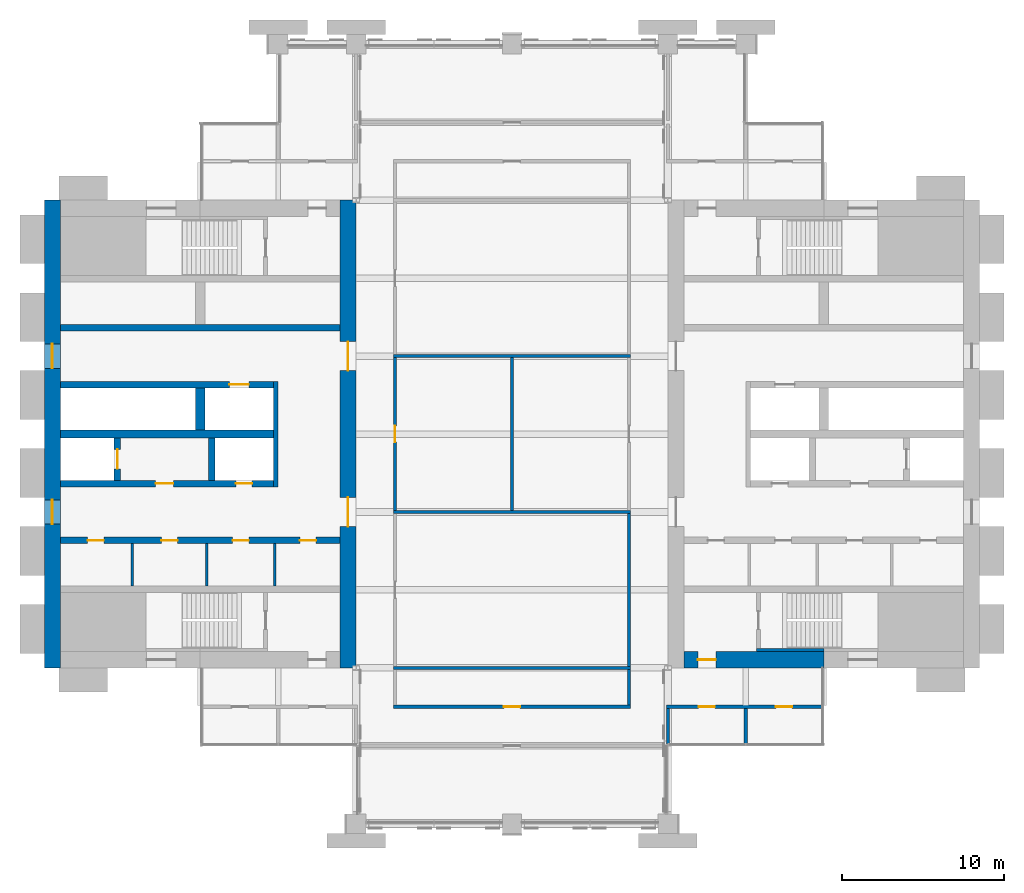
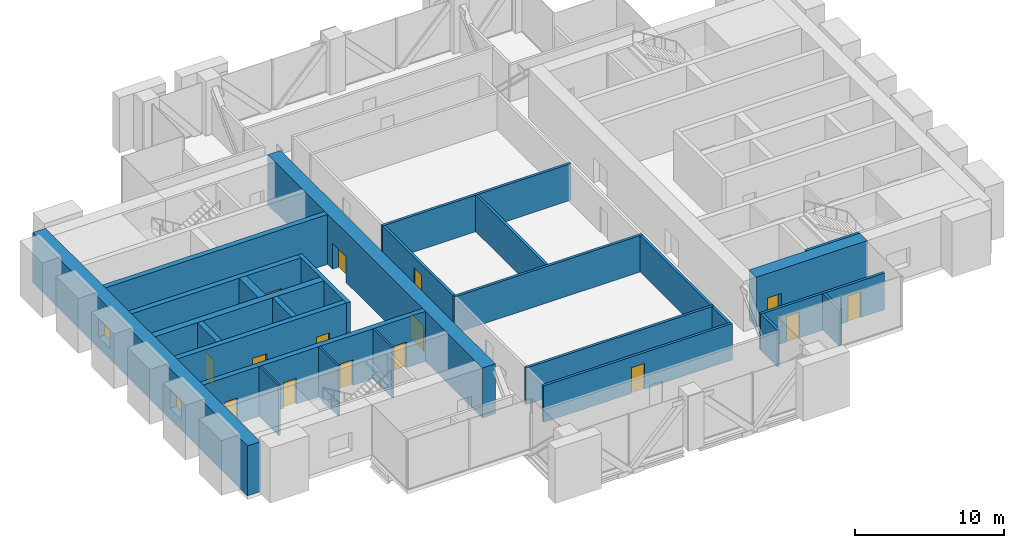
# One storey, part 10 of 14: 27 walls, 15 doors, 2 windows, 17 openings.
"""IFC4 building model written with IfcOpenShell, lengths in metres."""

import ifcopenshell
import ifcopenshell.guid

model = None  # the IFC model being written
_history = None  # IfcOwnerHistory: only IFC2X3 demands one
_inside = {}  # id of a spatial element -> (the spatial element, [elements in it])
_under = {}  # id of a project, library or spatial element -> (it, [spatial elements below it])
_declared = {}  # id of a project -> (the project, [libraries it declares])
_typed = {}  # id of a type object -> (the type object, [elements of that type])
_made_of = {}  # id of a material, layer set ... -> (it, [elements and type objects made of it])


def new_model(schema):
    """Start an empty IFC model of exactly this schema.

    Asked for "IFC4X3", IfcOpenShell would pick the latest addendum, in which some entities
    have other attributes; the version numbers below select the first issue.
    IFC2X3 requires an IfcOwnerHistory on every rooted entity: one is made here for all.
    """
    global model, _history
    if schema == "IFC4X3":
        model = ifcopenshell.file(schema_version=(4, 3, 0, 0))
    else:
        model = ifcopenshell.file(schema=schema)
    _inside.clear()
    _under.clear()
    _declared.clear()
    _typed.clear()
    _made_of.clear()
    _history = None
    if model.schema == "IFC2X3":
        org = make("IfcOrganization", Name="unknown")
        user = make(
            "IfcPersonAndOrganization",
            ThePerson=make("IfcPerson", FamilyName="unknown"),
            TheOrganization=org,
        )
        app = make(
            "IfcApplication",
            ApplicationDeveloper=org,
            Version="unknown",
            ApplicationFullName="unknown",
            ApplicationIdentifier="unknown",
        )
        _history = make(
            "IfcOwnerHistory",
            OwningUser=user,
            OwningApplication=app,
            ChangeAction="ADDED",
            CreationDate=0,
        )
    return model


def make(cls, **values):
    """One entity of the class cls with the attributes given. An attribute that is None is left unset."""
    return model.create_entity(
        cls, **{name: value for name, value in values.items() if value is not None}
    )


def rooted(cls, **values):
    """An entity with a GlobalId (a new one), such as an element, a storey or a relation."""
    return make(cls, GlobalId=ifcopenshell.guid.new(), OwnerHistory=_history, **values)


def si_unit(unit_type, name, prefix=None):
    """IfcSIUnit, for example si_unit("LENGTHUNIT", "METRE", prefix="MILLI")."""
    return make("IfcSIUnit", UnitType=unit_type, Prefix=prefix, Name=name)


def assignment(units):
    """IfcUnitAssignment: the units of a project."""
    return None if units is None else make("IfcUnitAssignment", Units=units)


def point(xyz):
    """IfcCartesianPoint."""
    return None if xyz is None else make("IfcCartesianPoint", Coordinates=xyz)


def direction(xyz):
    """IfcDirection."""
    return None if xyz is None else make("IfcDirection", DirectionRatios=xyz)


def frame(location, z_axis=None, x_axis=None):
    """IfcAxis2Placement3D, a coordinate frame: its origin and axes. An axis left out is left unset."""
    return make(
        "IfcAxis2Placement3D",
        Location=point(location),
        Axis=direction(z_axis),
        RefDirection=direction(x_axis),
    )


def frame_2d(location, x_axis=None):
    """IfcAxis2Placement2D, a coordinate frame in the plane: its origin and x axis."""
    return make(
        "IfcAxis2Placement2D", Location=point(location), RefDirection=direction(x_axis)
    )


def origin():
    """The frame at (0, 0, 0) with its axes left unset."""
    return frame((0.0, 0.0, 0.0))


def place(relative_to, where):
    """IfcLocalPlacement: puts the frame where relative to a parent placement (None: the world)."""
    return make(
        "IfcLocalPlacement", PlacementRelTo=relative_to, RelativePlacement=where
    )


def context(
    kind, dimensions, precision=None, world=None, true_north=None, identifier=None
):
    """IfcGeometricRepresentationContext, for example the 3D "Model" context."""
    return make(
        "IfcGeometricRepresentationContext",
        ContextIdentifier=identifier,
        ContextType=kind,
        CoordinateSpaceDimension=dimensions,
        Precision=precision,
        WorldCoordinateSystem=world,
        TrueNorth=true_north,
    )


def subcontext(parent, identifier, kind, view, scale=None):
    """IfcGeometricRepresentationSubContext, for example "Body" below "Model"."""
    return make(
        "IfcGeometricRepresentationSubContext",
        ContextIdentifier=identifier,
        ContextType=kind,
        ParentContext=parent,
        TargetScale=scale,
        TargetView=view,
    )


def project(units=None, contexts=None):
    """IfcProject with its units and contexts."""
    return rooted(
        "IfcProject",
        Name="project",
        RepresentationContexts=contexts,
        UnitsInContext=assignment(units),
    )


def spatial(cls, under=None, at=None, **own):
    """A site, building, storey or space (cls), placed at a placement, below another one or the project."""
    s = rooted(cls, ObjectPlacement=at, **own)
    if under is not None:
        _under.setdefault(under.id(), (under, []))[1].append(s)
    return s


def profile(cls, at=None, kind="AREA", **sizes):
    """A parametric profile (cls). Its sizes go by their IFC names, for example OverallWidth=200.0."""
    return make(cls, ProfileType=kind, Position=at, **sizes)


def rectangle(**sizes):
    """IfcRectangleProfileDef."""
    return profile("IfcRectangleProfileDef", **sizes)


def extrude(swept, where, along, depth):
    """IfcExtrudedAreaSolid: the profile swept, set in the frame where, extruded along a direction by depth."""
    return make(
        "IfcExtrudedAreaSolid",
        SweptArea=swept,
        Position=where,
        ExtrudedDirection=direction(along),
        Depth=depth,
    )


def shape(context_of_items, identifier, shape_type, items):
    """IfcShapeRepresentation: the items that make up one representation, for example the "Body"."""
    return make(
        "IfcShapeRepresentation",
        ContextOfItems=context_of_items,
        RepresentationIdentifier=identifier,
        RepresentationType=shape_type,
        Items=items,
    )


def material(Name=None, Category=None):
    """IfcMaterial."""
    return make("IfcMaterial", Name=Name, Category=Category)


def layer(
    of_material, thickness, ventilated=None, Name=None, Category=None, Priority=None
):
    """IfcMaterialLayer: one layer of a wall or slab, of a material (None: an air gap)."""
    return make(
        "IfcMaterialLayer",
        Material=of_material,
        LayerThickness=thickness,
        IsVentilated=ventilated,
        Name=Name,
        Category=Category,
        Priority=Priority,
    )


def layer_set(layers, Name=None):
    """IfcMaterialLayerSet."""
    return make("IfcMaterialLayerSet", MaterialLayers=layers, LayerSetName=Name)


def made_of(thing, what):
    """Note that an element or type object is made of a material, layer set ...; save() writes the relation."""
    if what is not None:
        _made_of.setdefault(what.id(), (what, []))[1].append(thing)
    return thing


def type_object(cls, material=None, **own):
    """A type object (cls), such as IfcWallType, which elements share."""
    return made_of(rooted(cls, **own), material)


def element(
    cls,
    number,
    at=None,
    inside=None,
    cuts=None,
    type_object=None,
    material=None,
    context=None,
    identifier="Body",
    shape_type=None,
    held_by="IfcProductDefinitionShape",
    body=None,
    shapes=None,
    **own,
):
    """One element of the class cls, such as IfcWall. Its Tag is "e" and its number.

    at: its placement. inside: the storey or other place that contains it. cuts: it is an
    opening in that element (IfcRelVoidsElement). A single representation is given by context,
    identifier, shape_type and body (its items); several are given by shapes. held_by: the class
    of the entity that holds the representations. save() writes the other relations.
    """
    e = rooted(cls, Tag="e%d" % number, ObjectPlacement=at, **own)
    if body is not None:
        shapes = [shape(context, identifier, shape_type, body)]
    if shapes is not None:
        e.Representation = make(held_by, Representations=shapes)
    if inside is not None:
        _inside.setdefault(inside.id(), (inside, []))[1].append(e)
    if cuts is not None:
        rooted(
            "IfcRelVoidsElement", RelatingBuildingElement=cuts, RelatedOpeningElement=e
        )
    if type_object is not None:
        _typed.setdefault(type_object.id(), (type_object, []))[1].append(e)
    return made_of(e, material)


def fill(opening, filler):
    """IfcRelFillsElement: the door or window that sits in an opening."""
    return rooted(
        "IfcRelFillsElement",
        RelatingOpeningElement=opening,
        RelatedBuildingElement=filler,
    )


def aggregate(whole, parts):
    """IfcRelAggregates: a whole, such as a stair, and the parts it consists of."""
    return rooted("IfcRelAggregates", RelatingObject=whole, RelatedObjects=parts)


def save(model, path):
    """Write the relations noted so far, then the file.

    IfcRelAggregates (storeys below a building ...), IfcRelContainedInSpatialStructure (elements
    in a storey), IfcRelDefinesByType, IfcRelAssociatesMaterial and IfcRelDeclares: one each for
    every whole, place, type object, material and project.
    """
    for whole, parts in _under.values():
        aggregate(whole, parts)
    for where, things in _inside.values():
        rooted(
            "IfcRelContainedInSpatialStructure",
            RelatedElements=things,
            RelatingStructure=where,
        )
    for kind, things in _typed.values():
        rooted("IfcRelDefinesByType", RelatedObjects=things, RelatingType=kind)
    for what, things in _made_of.values():
        rooted("IfcRelAssociatesMaterial", RelatedObjects=things, RelatingMaterial=what)
    for by, libraries in _declared.values():
        rooted("IfcRelDeclares", RelatingContext=by, RelatedDefinitions=libraries)
    model.write(path)


model = new_model("IFC4")

# Units and contexts
model_context = context("Model", 3, precision=1e-05, world=origin(), true_north=direction((0.0, 1.0)))
body_context = subcontext(model_context, "Body", "Model", "MODEL_VIEW")
ifc_project = project(units=[si_unit("LENGTHUNIT", "METRE"), si_unit("AREAUNIT", "SQUARE_METRE"), si_unit("VOLUMEUNIT", "CUBIC_METRE"), si_unit("PLANEANGLEUNIT", "RADIAN"), si_unit("MASSUNIT", "GRAM", prefix="KILO")], contexts=[model_context])

# Site, building, storey
site_placement = place(None, origin())
site = spatial("IfcSite", under=ifc_project, at=site_placement, CompositionType="ELEMENT")
building_placement = place(site_placement, origin())
building = spatial("IfcBuilding", under=site, at=building_placement, Name="Baori Bourse Tower", CompositionType="ELEMENT")
storey_placement = place(building_placement, frame((0.0, 0.0, 176.10009765625)))
storey = spatial("IfcBuildingStorey", under=building, at=storey_placement, Name="L39", CompositionType="ELEMENT", Elevation=176.10009765625)

# Walls
ifc_material_1 = material(Name="Blockwork partition", Category="masonry")
ifc_layer_1 = layer(ifc_material_1, 0.14990234375)
ifc_layer_set_1 = layer_set([ifc_layer_1], Name="Core partition 150")
wall_type_1 = type_object("IfcWallType", Name="Core partition 150", PredefinedType="PARTITIONING", material=ifc_layer_set_1)
for number, where, z_axis, x_axis, name in (
    (1, (5.39990234375, 14.64990234375, 0.0), (0.0, 0.0, 1.0), (0.0, 1.0, 0.0), "Partition wall W10"),
    (2, (10.0, 14.64990234375, 0.0), (0.0, 0.0, 1.0), (0.0, 1.0, 0.0), "Partition wall W11"),
    (3, (14.199951171875, 14.64990234375, 0.0), (0.0, 0.0, 1.0), (0.0, 1.0, 0.0), "Partition wall W12"),
):
    element("IfcWall", number, at=place(storey_placement, frame(where, z_axis=z_axis, x_axis=x_axis)), inside=storey, type_object=wall_type_1, Name=name, PredefinedType="PARTITIONING", context=body_context, shape_type="SweptSolid", body=[
        extrude(rectangle(XDim=2.60009765625, YDim=0.14990234375, at=frame_2d((1.300048828125, 0.0))), origin(), (0.0, 0.0, 1.0), 4.099853515625),
    ])

# Wall, openings, windows
ifc_material_2 = material(Name="Concrete f'c 60 MPa", Category="concrete")
ifc_layer_2 = layer(ifc_material_2, 1.0)
ifc_layer_set_2 = layer_set([ifc_layer_2], Name="Core wall 1000 f'c 60")
wall_type_2 = type_object("IfcWallType", Name="Core wall 1000 f'c 60", PredefinedType="SHEAR", material=ifc_layer_set_2)
wall_1_placement = place(storey_placement, frame((0.5, 9.60009765625, 0.0), z_axis=(0.0, 0.0, 1.0), x_axis=(0.0, 1.0, 0.0)))
wall_1 = element("IfcWall", 4, at=wall_1_placement, inside=storey, type_object=wall_type_2, Name="Core wall W01", PredefinedType="SHEAR", context=body_context, shape_type="SweptSolid", body=[
    extrude(rectangle(XDim=28.7998046875, YDim=1.0, at=frame_2d((14.39990234375, 0.0))), origin(), (0.0, 0.0, 1.0), 4.099853515625),
])
opening_1_placement = place(wall_1_placement, frame((8.85009765625, 0.0, 0.89990234375)))
opening_1 = element("IfcOpeningElement", 5, at=opening_1_placement, cuts=wall_1, Name="Opening L39-KW101", PredefinedType="OPENING", context=body_context, shape_type="SweptSolid", body=[
    extrude(rectangle(XDim=1.5, YDim=1.5, at=frame_2d((0.75, 0.75))), frame((0.0, 0.510009765625, 0.0), z_axis=(0.0, -1.0, 0.0), x_axis=(1.0, 0.0, 0.0)), (0.0, 0.0, 1.0), 1.02001953125),
])
opening_2_placement = place(wall_1_placement, frame((18.449951171875, 0.0, 0.89990234375)))
opening_2 = element("IfcOpeningElement", 6, at=opening_2_placement, cuts=wall_1, Name="Opening L39-KW102", PredefinedType="OPENING", context=body_context, shape_type="SweptSolid", body=[
    extrude(rectangle(XDim=1.5, YDim=1.5, at=frame_2d((0.75, 0.75))), frame((0.0, 0.510009765625, 0.0), z_axis=(0.0, -1.0, 0.0), x_axis=(1.0, 0.0, 0.0)), (0.0, 0.0, 1.0), 1.02001953125),
])
ifc_material_3 = material(Name="Pale anodised aluminium", Category="aluminium")
window_type = type_object("IfcWindowType", Name="Lobby window 1500 x 1500", PartitioningType="SINGLE_PANEL", PredefinedType="WINDOW", material=ifc_material_3)
window_1_placement = place(opening_1_placement, origin())
window_1 = element("IfcWindow", 7, at=window_1_placement, inside=storey, type_object=window_type, Name="Outer wall window W L39 1", OverallHeight=1.5, OverallWidth=1.5, PartitioningType="SINGLE_PANEL", PredefinedType="WINDOW", context=body_context, shape_type="SweptSolid", body=[
    extrude(rectangle(XDim=1.5, YDim=1.5, at=frame_2d((0.75, 0.75))), frame((0.0, 0.030029296875, 0.0), z_axis=(0.0, -1.0, 0.0), x_axis=(1.0, 0.0, 0.0)), (0.0, 0.0, 1.0), 0.06005859375),
])
fill(opening_1, window_1)
window_2_placement = place(opening_2_placement, origin())
window_2 = element("IfcWindow", 8, at=window_2_placement, inside=storey, type_object=window_type, Name="Outer wall window W L39 2", OverallHeight=1.5, OverallWidth=1.5, PartitioningType="SINGLE_PANEL", PredefinedType="WINDOW", context=body_context, shape_type="SweptSolid", body=[
    extrude(rectangle(XDim=1.5, YDim=1.5, at=frame_2d((0.75, 0.75))), frame((0.0, 0.030029296875, 0.0), z_axis=(0.0, -1.0, 0.0), x_axis=(1.0, 0.0, 0.0)), (0.0, 0.0, 1.0), 0.06005859375),
])
fill(opening_2, window_2)

# Wall, openings, doors
wall_2_placement = place(storey_placement, frame((18.699951171875, 38.39990234375, 0.0), z_axis=(0.0, 0.0, 1.0), x_axis=(0.0, -1.0, 0.0)))
wall_2 = element("IfcWall", 9, at=wall_2_placement, inside=storey, type_object=wall_type_2, Name="Core wall W04", PredefinedType="SHEAR", context=body_context, shape_type="SweptSolid", body=[
    extrude(rectangle(XDim=28.7998046875, YDim=1.0, at=frame_2d((14.39990234375, 0.0))), origin(), (0.0, 0.0, 1.0), 4.099853515625),
])
opening_3_placement = place(wall_2_placement, frame((18.300048828125, 0.0, 0.0)))
opening_3 = element("IfcOpeningElement", 10, at=opening_3_placement, cuts=wall_2, Name="Opening L39-D107", PredefinedType="OPENING", context=body_context, shape_type="SweptSolid", body=[
    extrude(rectangle(XDim=1.800048828125, YDim=2.10009765625, at=frame_2d((0.89990234375, 1.050048828125))), frame((0.0, 0.510009765625, 0.0), z_axis=(0.0, -1.0, 0.0), x_axis=(1.0, 0.0, 0.0)), (0.0, 0.0, 1.0), 1.02001953125),
])
opening_4_placement = place(wall_2_placement, frame((8.699951171875, 0.0, 0.0)))
opening_4 = element("IfcOpeningElement", 11, at=opening_4_placement, cuts=wall_2, Name="Opening L39-D108", PredefinedType="OPENING", context=body_context, shape_type="SweptSolid", body=[
    extrude(rectangle(XDim=1.800048828125, YDim=2.10009765625, at=frame_2d((0.89990234375, 1.050048828125))), frame((0.0, 0.510009765625, 0.0), z_axis=(0.0, -1.0, 0.0), x_axis=(1.0, 0.0, 0.0)), (0.0, 0.0, 1.0), 1.02001953125),
])
ifc_material_4 = material(Name="Painted steel door", Category="steel")
door_type_1 = type_object("IfcDoorType", Name="Core lobby door 1800", OperationType="DOUBLE_DOOR_SINGLE_SWING", PredefinedType="DOOR", material=ifc_material_4)
door_1_placement = place(opening_3_placement, origin())
door_1 = element("IfcDoor", 12, at=door_1_placement, inside=storey, type_object=door_type_1, Name="Lobby door W L39", OperationType="DOUBLE_DOOR_SINGLE_SWING", OverallHeight=2.10009765625, OverallWidth=1.800048828125, PredefinedType="DOOR", context=body_context, shape_type="SweptSolid", body=[
    extrude(rectangle(XDim=1.800048828125, YDim=2.10009765625, at=frame_2d((0.89990234375, 1.050048828125))), frame((0.0, 0.02490234375, 0.0), z_axis=(0.0, -1.0, 0.0), x_axis=(1.0, 0.0, 0.0)), (0.0, 0.0, 1.0), 0.050048828125),
])
fill(opening_3, door_1)
door_2_placement = place(opening_4_placement, origin())
door_2 = element("IfcDoor", 13, at=door_2_placement, inside=storey, type_object=door_type_1, Name="Lobby door W L39", OperationType="DOUBLE_DOOR_SINGLE_SWING", OverallHeight=2.10009765625, OverallWidth=1.800048828125, PredefinedType="DOOR", context=body_context, shape_type="SweptSolid", body=[
    extrude(rectangle(XDim=1.800048828125, YDim=2.10009765625, at=frame_2d((0.89990234375, 1.050048828125))), frame((0.0, 0.02490234375, 0.0), z_axis=(0.0, -1.0, 0.0), x_axis=(1.0, 0.0, 0.0)), (0.0, 0.0, 1.0), 0.050048828125),
])
fill(opening_4, door_2)

# Wall, opening, door
wall_3_placement = place(storey_placement, frame((48.0, 10.10009765625, 0.0), z_axis=(0.0, 0.0, 1.0), x_axis=(-1.0, 0.0, 0.0)))
wall_3 = element("IfcWall", 14, at=wall_3_placement, inside=storey, type_object=wall_type_2, Name="Core wall E03", PredefinedType="SHEAR", context=body_context, shape_type="SweptSolid", body=[
    extrude(rectangle(XDim=8.60009765625, YDim=1.0, at=frame_2d((4.300048828125, 0.0))), origin(), (0.0, 0.0, 1.0), 4.099853515625),
])
opening_5_placement = place(wall_3_placement, frame((6.64990234375, 0.0, 0.0)))
opening_5 = element("IfcOpeningElement", 15, at=opening_5_placement, cuts=wall_3, Name="Opening L39-D202", PredefinedType="OPENING", context=body_context, shape_type="SweptSolid", body=[
    extrude(rectangle(XDim=1.10009765625, YDim=2.10009765625, at=frame_2d((0.550048828125, 1.050048828125))), frame((0.0, 0.510009765625, 0.0), z_axis=(0.0, -1.0, 0.0), x_axis=(1.0, 0.0, 0.0)), (0.0, 0.0, 1.0), 1.02001953125),
])
ifc_material_5 = material(Name="Painted steel door", Category="steel")
door_type_2 = type_object("IfcDoorType", Name="Stair door 1100", OperationType="SINGLE_SWING_LEFT", PredefinedType="DOOR", material=ifc_material_5)
door_3_placement = place(opening_5_placement, origin())
door_3 = element("IfcDoor", 16, at=door_3_placement, inside=storey, type_object=door_type_2, Name="Stair vestibule door A E L39", OperationType="SINGLE_SWING_LEFT", OverallHeight=2.10009765625, OverallWidth=1.10009765625, PredefinedType="DOOR", context=body_context, shape_type="SweptSolid", body=[
    extrude(rectangle(XDim=1.10009765625, YDim=2.10009765625, at=frame_2d((0.550048828125, 1.050048828125))), frame((0.0, 0.02490234375, 0.0), z_axis=(0.0, -1.0, 0.0), x_axis=(1.0, 0.0, 0.0)), (0.0, 0.0, 1.0), 0.050048828125),
])
fill(opening_5, door_3)

ifc_material_6 = material(Name="Gypsum board partition")
ifc_layer_3 = layer(ifc_material_6, 0.199951171875)
ifc_layer_set_3 = layer_set([ifc_layer_3], Name="Plant room wall 200")
wall_type_3 = type_object("IfcWallType", Name="Plant room wall 200", PredefinedType="PARTITIONING", material=ifc_layer_set_3)
wall_4_placement = place(storey_placement, frame((21.5, 7.199951171875, 0.0), z_axis=(0.0, 0.0, 1.0), x_axis=(1.0, 0.0, 0.0)))
wall_4 = element("IfcWall", 17, at=wall_4_placement, inside=storey, type_object=wall_type_3, Name="Partition", PredefinedType="PARTITIONING", context=body_context, shape_type="SweptSolid", body=[
    extrude(rectangle(XDim=14.60009765625, YDim=0.199951171875, at=frame_2d((7.300048828125, 0.0))), origin(), (0.0, 0.0, 1.0), 2.992431640625),
])
opening_6_placement = place(wall_4_placement, frame((6.800048828125, 0.0, 0.0)))
opening_6 = element("IfcOpeningElement", 18, at=opening_6_placement, cuts=wall_4, Name="Opening L39-D04", PredefinedType="OPENING", context=body_context, shape_type="SweptSolid", body=[
    extrude(rectangle(XDim=1.0, YDim=2.10009765625, at=frame_2d((0.5, 1.050048828125))), frame((0.0, 0.10986328125, 0.0), z_axis=(0.0, -1.0, 0.0), x_axis=(1.0, 0.0, 0.0)), (0.0, 0.0, 1.0), 0.219970703125),
])
ifc_material_7 = material(Name="Timber door leaf", Category="wood")
door_type_3 = type_object("IfcDoorType", Name="Door 1000 x 2100", OperationType="SINGLE_SWING_LEFT", PredefinedType="DOOR", material=ifc_material_7)
door_4_placement = place(opening_6_placement, origin())
door_4 = element("IfcDoor", 19, at=door_4_placement, inside=storey, type_object=door_type_3, Name="Door", OperationType="SINGLE_SWING_RIGHT", OverallHeight=2.10009765625, OverallWidth=1.0, PredefinedType="DOOR", context=body_context, shape_type="SweptSolid", body=[
    extrude(rectangle(XDim=1.0, YDim=2.10009765625, at=frame_2d((0.5, 1.050048828125))), frame((0.0, 0.02490234375, 0.0), z_axis=(0.0, -1.0, 0.0), x_axis=(1.0, 0.0, 0.0)), (0.0, 0.0, 1.0), 0.050048828125),
])
fill(opening_6, door_4)

# Wall, openings, doors
wall_5_placement = place(storey_placement, frame((38.300048828125, 7.199951171875, 0.0), z_axis=(0.0, 0.0, 1.0), x_axis=(1.0, 0.0, 0.0)))
wall_5 = element("IfcWall", 20, at=wall_5_placement, inside=storey, type_object=wall_type_3, Name="Partition", PredefinedType="PARTITIONING", context=body_context, shape_type="SweptSolid", body=[
    extrude(rectangle(XDim=9.599853515625, YDim=0.199951171875, at=frame_2d((4.7998046875, 0.0))), origin(), (0.0, 0.0, 1.0), 2.992431640625),
])
opening_7_placement = place(wall_5_placement, frame((2.0, 0.0, 0.0)))
opening_7 = element("IfcOpeningElement", 21, at=opening_7_placement, cuts=wall_5, Name="Opening L39-D05", PredefinedType="OPENING", context=body_context, shape_type="SweptSolid", body=[
    extrude(rectangle(XDim=1.0, YDim=2.10009765625, at=frame_2d((0.5, 1.050048828125))), frame((0.0, 0.10986328125, 0.0), z_axis=(0.0, -1.0, 0.0), x_axis=(1.0, 0.0, 0.0)), (0.0, 0.0, 1.0), 0.219970703125),
])
opening_8_placement = place(wall_5_placement, frame((6.75, 0.0, 0.0)))
opening_8 = element("IfcOpeningElement", 22, at=opening_8_placement, cuts=wall_5, Name="Opening L39-D06", PredefinedType="OPENING", context=body_context, shape_type="SweptSolid", body=[
    extrude(rectangle(XDim=1.0, YDim=2.10009765625, at=frame_2d((0.5, 1.050048828125))), frame((0.0, 0.10986328125, 0.0), z_axis=(0.0, -1.0, 0.0), x_axis=(1.0, 0.0, 0.0)), (0.0, 0.0, 1.0), 0.219970703125),
])
door_5_placement = place(opening_7_placement, origin())
door_5 = element("IfcDoor", 23, at=door_5_placement, inside=storey, type_object=door_type_3, Name="Door", OperationType="SINGLE_SWING_LEFT", OverallHeight=2.10009765625, OverallWidth=1.0, PredefinedType="DOOR", context=body_context, shape_type="SweptSolid", body=[
    extrude(rectangle(XDim=1.0, YDim=2.10009765625, at=frame_2d((0.5, 1.050048828125))), frame((0.0, 0.02490234375, 0.0), z_axis=(0.0, -1.0, 0.0), x_axis=(1.0, 0.0, 0.0)), (0.0, 0.0, 1.0), 0.050048828125),
])
fill(opening_7, door_5)
door_6_placement = place(opening_8_placement, origin())
door_6 = element("IfcDoor", 24, at=door_6_placement, inside=storey, type_object=door_type_3, Name="Door", OperationType="SINGLE_SWING_RIGHT", OverallHeight=2.10009765625, OverallWidth=1.0, PredefinedType="DOOR", context=body_context, shape_type="SweptSolid", body=[
    extrude(rectangle(XDim=1.0, YDim=2.10009765625, at=frame_2d((0.5, 1.050048828125))), frame((0.0, 0.02490234375, 0.0), z_axis=(0.0, -1.0, 0.0), x_axis=(1.0, 0.0, 0.0)), (0.0, 0.0, 1.0), 0.050048828125),
])
fill(opening_8, door_6)

# Walls
for number, where, z_axis, x_axis, name in (
    (25, (21.5, 9.60009765625, 0.0), (0.0, 0.0, 1.0), (1.0, 0.0, 0.0), "Partition"),
    (26, (21.5, 19.199951171875, 0.0), (0.0, 0.0, 1.0), (1.0, 0.0, 0.0), "Partition"),
    (27, (21.5, 28.800048828125, 0.0), (0.0, 0.0, 1.0), (1.0, 0.0, 0.0), "Partition"),
):
    element("IfcWall", number, at=place(storey_placement, frame(where, z_axis=z_axis, x_axis=x_axis)), inside=storey, type_object=wall_type_3, Name=name, PredefinedType="PARTITIONING", context=body_context, shape_type="SweptSolid", body=[
        extrude(rectangle(XDim=14.60009765625, YDim=0.199951171875, at=frame_2d((7.300048828125, 0.0))), origin(), (0.0, 0.0, 1.0), 2.992431640625),
    ])

# Wall, opening, door
wall_6_placement = place(storey_placement, frame((21.60009765625, 19.300048828125, 0.0), z_axis=(0.0, 0.0, 1.0), x_axis=(0.0, 1.0, 0.0)))
wall_6 = element("IfcWall", 28, at=wall_6_placement, inside=storey, type_object=wall_type_3, Name="Partition", PredefinedType="PARTITIONING", context=body_context, shape_type="SweptSolid", body=[
    extrude(rectangle(XDim=9.39990234375, YDim=0.199951171875, at=frame_2d((4.699951171875, 0.0))), origin(), (0.0, 0.0, 1.0), 2.992431640625),
])
opening_9_placement = place(wall_6_placement, frame((4.199951171875, 0.0, 0.0)))
opening_9 = element("IfcOpeningElement", 29, at=opening_9_placement, cuts=wall_6, Name="Opening L39-D14", PredefinedType="OPENING", context=body_context, shape_type="SweptSolid", body=[
    extrude(rectangle(XDim=1.0, YDim=2.10009765625, at=frame_2d((0.5, 1.050048828125))), frame((0.0, 0.10986328125, 0.0), z_axis=(0.0, -1.0, 0.0), x_axis=(1.0, 0.0, 0.0)), (0.0, 0.0, 1.0), 0.219970703125),
])
door_7_placement = place(opening_9_placement, origin())
door_7 = element("IfcDoor", 30, at=door_7_placement, inside=storey, type_object=door_type_3, Name="Door", OperationType="SINGLE_SWING_LEFT", OverallHeight=2.10009765625, OverallWidth=1.0, PredefinedType="DOOR", context=body_context, shape_type="SweptSolid", body=[
    extrude(rectangle(XDim=1.0, YDim=2.10009765625, at=frame_2d((0.5, 1.050048828125))), frame((0.0, 0.02490234375, 0.0), z_axis=(0.0, -1.0, 0.0), x_axis=(1.0, 0.0, 0.0)), (0.0, 0.0, 1.0), 0.050048828125),
])
fill(opening_9, door_7)

# Walls
wall_7_placement = place(storey_placement, frame((28.800048828125, 19.300048828125, 0.0), z_axis=(0.0, 0.0, 1.0), x_axis=(0.0, 1.0, 0.0)))
element("IfcWall", 31, at=wall_7_placement, inside=storey, type_object=wall_type_3, Name="Partition", PredefinedType="PARTITIONING", context=body_context, shape_type="SweptSolid", body=[
    extrude(rectangle(XDim=9.39990234375, YDim=0.199951171875, at=frame_2d((4.699951171875, 0.0))), origin(), (0.0, 0.0, 1.0), 2.992431640625),
])
wall_8_placement = place(storey_placement, frame((36.0, 7.300048828125, 0.0), z_axis=(0.0, 0.0, 1.0), x_axis=(0.0, 1.0, 0.0)))
element("IfcWall", 32, at=wall_8_placement, inside=storey, type_object=wall_type_3, Name="Partition", PredefinedType="PARTITIONING", context=body_context, shape_type="SweptSolid", body=[
    extrude(rectangle(XDim=2.199951171875, YDim=0.199951171875, at=frame_2d((1.10009765625, 0.0))), origin(), (0.0, 0.0, 1.0), 2.992431640625),
])
wall_9_placement = place(storey_placement, frame((36.0, 9.699951171875, 0.0), z_axis=(0.0, 0.0, 1.0), x_axis=(0.0, 1.0, 0.0)))
element("IfcWall", 33, at=wall_9_placement, inside=storey, type_object=wall_type_3, Name="Partition", PredefinedType="PARTITIONING", context=body_context, shape_type="SweptSolid", body=[
    extrude(rectangle(XDim=9.400146484375, YDim=0.199951171875, at=frame_2d((4.7001953125, 0.0))), origin(), (0.0, 0.0, 1.0), 2.992431640625),
])
for number, where, z_axis, x_axis, name in (
    (34, (38.39990234375, 4.89990234375, 0.0), (0.0, 0.0, 1.0), (0.0, 1.0, 0.0), "Partition"),
    (35, (43.199951171875, 4.89990234375, 0.0), (0.0, 0.0, 1.0), (0.0, 1.0, 0.0), "Partition"),
):
    element("IfcWall", number, at=place(storey_placement, frame(where, z_axis=z_axis, x_axis=x_axis)), inside=storey, type_object=wall_type_3, Name=name, PredefinedType="PARTITIONING", context=body_context, shape_type="SweptSolid", body=[
        extrude(rectangle(XDim=2.2001953125, YDim=0.199951171875, at=frame_2d((1.10009765625, 0.0))), origin(), (0.0, 0.0, 1.0), 2.992431640625),
    ])
ifc_material_8 = material(Name="Concrete f'c 60 MPa", Category="concrete")
ifc_layer_4 = layer(ifc_material_8, 0.199951171875)
ifc_layer_set_4 = layer_set([ifc_layer_4], Name="Shaft wall 200 f'c 60")
wall_type_4 = type_object("IfcWallType", Name="Shaft wall 200 f'c 60", PredefinedType="SHEAR", material=ifc_layer_set_4)
wall_10_placement = place(storey_placement, frame((43.85009765625, 10.699951171875, 0.0), z_axis=(0.0, 0.0, 1.0), x_axis=(1.0, 0.0, 0.0)))
element("IfcWall", 36, at=wall_10_placement, inside=storey, type_object=wall_type_4, Name="Core wall E07", PredefinedType="SHEAR", context=body_context, shape_type="SweptSolid", body=[
    extrude(rectangle(XDim=4.14990234375, YDim=0.199951171875, at=frame_2d((2.074951171875, 0.0))), origin(), (0.0, 0.0, 1.0), 4.099853515625),
])
ifc_material_9 = material(Name="Concrete f'c 60 MPa", Category="concrete")
ifc_layer_5 = layer(ifc_material_9, 0.300048828125)
ifc_layer_set_5 = layer_set([ifc_layer_5], Name="Shaft wall 300 f'c 60")
wall_type_5 = type_object("IfcWallType", Name="Shaft wall 300 f'c 60", PredefinedType="SHEAR", material=ifc_layer_set_5)
wall_11_placement = place(storey_placement, frame((14.25, 20.75, 0.0), z_axis=(0.0, 0.0, 1.0), x_axis=(0.0, 1.0, 0.0)))
element("IfcWall", 37, at=wall_11_placement, inside=storey, type_object=wall_type_5, Name="Core wall W15", PredefinedType="SHEAR", context=body_context, shape_type="SweptSolid", body=[
    extrude(rectangle(XDim=6.5, YDim=0.300048828125, at=frame_2d((3.25, 0.0))), origin(), (0.0, 0.0, 1.0), 4.099853515625),
])

# Wall, openings, doors
ifc_material_10 = material(Name="Concrete f'c 60 MPa", Category="concrete")
ifc_layer_6 = layer(ifc_material_10, 0.39990234375)
ifc_layer_set_6 = layer_set([ifc_layer_6], Name="Shaft wall 400 f'c 60")
wall_type_6 = type_object("IfcWallType", Name="Shaft wall 400 f'c 60", PredefinedType="SHEAR", material=ifc_layer_set_6)
wall_12_placement = place(storey_placement, frame((1.0, 17.449951171875, 0.0), z_axis=(0.0, 0.0, 1.0), x_axis=(1.0, 0.0, 0.0)))
wall_12 = element("IfcWall", 38, at=wall_12_placement, inside=storey, type_object=wall_type_6, Name="Core wall W13", PredefinedType="SHEAR", context=body_context, shape_type="SweptSolid", body=[
    extrude(rectangle(XDim=17.199951171875, YDim=0.39990234375, at=frame_2d((8.60009765625, 0.0))), origin(), (0.0, 0.0, 1.0), 4.099853515625),
])
opening_10_placement = place(wall_12_placement, frame((1.66259765625, 0.0, 0.0)))
opening_10 = element("IfcOpeningElement", 39, at=opening_10_placement, cuts=wall_12, Name="Opening L39-D109", PredefinedType="OPENING", context=body_context, shape_type="SweptSolid", body=[
    extrude(rectangle(XDim=1.0, YDim=2.10009765625, at=frame_2d((0.5, 1.050048828125))), frame((0.0, 0.2099609375, 0.0), z_axis=(0.0, -1.0, 0.0), x_axis=(1.0, 0.0, 0.0)), (0.0, 0.0, 1.0), 0.419921875),
])
opening_11_placement = place(wall_12_placement, frame((6.199951171875, 0.0, 0.0)))
opening_11 = element("IfcOpeningElement", 40, at=opening_11_placement, cuts=wall_12, Name="Opening L39-D110", PredefinedType="OPENING", context=body_context, shape_type="SweptSolid", body=[
    extrude(rectangle(XDim=1.0, YDim=2.10009765625, at=frame_2d((0.5, 1.050048828125))), frame((0.0, 0.2099609375, 0.0), z_axis=(0.0, -1.0, 0.0), x_axis=(1.0, 0.0, 0.0)), (0.0, 0.0, 1.0), 0.419921875),
])
opening_12_placement = place(wall_12_placement, frame((10.60009765625, 0.0, 0.0)))
opening_12 = element("IfcOpeningElement", 41, at=opening_12_placement, cuts=wall_12, Name="Opening L39-D111", PredefinedType="OPENING", context=body_context, shape_type="SweptSolid", body=[
    extrude(rectangle(XDim=1.0, YDim=2.10009765625, at=frame_2d((0.5, 1.050048828125))), frame((0.0, 0.2099609375, 0.0), z_axis=(0.0, -1.0, 0.0), x_axis=(1.0, 0.0, 0.0)), (0.0, 0.0, 1.0), 0.419921875),
])
opening_13_placement = place(wall_12_placement, frame((14.737548828125, 0.0, 0.0)))
opening_13 = element("IfcOpeningElement", 42, at=opening_13_placement, cuts=wall_12, Name="Opening L39-D112", PredefinedType="OPENING", context=body_context, shape_type="SweptSolid", body=[
    extrude(rectangle(XDim=1.0, YDim=2.10009765625, at=frame_2d((0.5, 1.050048828125))), frame((0.0, 0.2099609375, 0.0), z_axis=(0.0, -1.0, 0.0), x_axis=(1.0, 0.0, 0.0)), (0.0, 0.0, 1.0), 0.419921875),
])
ifc_material_11 = material(Name="Painted steel door", Category="steel")
door_type_4 = type_object("IfcDoorType", Name="Core door 1000", OperationType="SINGLE_SWING_LEFT", PredefinedType="DOOR", material=ifc_material_11)
door_8_placement = place(opening_12_placement, origin())
door_8 = element("IfcDoor", 43, at=door_8_placement, inside=storey, type_object=door_type_4, Name="Plant Floor Refuge Room door W L39", OperationType="SINGLE_SWING_LEFT", OverallHeight=2.10009765625, OverallWidth=1.0, PredefinedType="DOOR", context=body_context, shape_type="SweptSolid", body=[
    extrude(rectangle(XDim=1.0, YDim=2.10009765625, at=frame_2d((0.5, 1.050048828125))), frame((0.0, 0.02490234375, 0.0), z_axis=(0.0, -1.0, 0.0), x_axis=(1.0, 0.0, 0.0)), (0.0, 0.0, 1.0), 0.050048828125),
])
fill(opening_12, door_8)
ifc_material_12 = material(Name="Painted steel door", Category="steel")
door_type_5 = type_object("IfcDoorType", Name="Plant room door 1000", OperationType="SINGLE_SWING_LEFT", PredefinedType="DOOR", material=ifc_material_12)
door_9_placement = place(opening_10_placement, origin())
door_9 = element("IfcDoor", 44, at=door_9_placement, inside=storey, type_object=door_type_5, Name="Electrical Room door W L39", OperationType="SINGLE_SWING_LEFT", OverallHeight=2.10009765625, OverallWidth=1.0, PredefinedType="DOOR", context=body_context, shape_type="SweptSolid", body=[
    extrude(rectangle(XDim=1.0, YDim=2.10009765625, at=frame_2d((0.5, 1.050048828125))), frame((0.0, 0.02490234375, 0.0), z_axis=(0.0, -1.0, 0.0), x_axis=(1.0, 0.0, 0.0)), (0.0, 0.0, 1.0), 0.050048828125),
])
fill(opening_10, door_9)
door_10_placement = place(opening_11_placement, origin())
door_10 = element("IfcDoor", 45, at=door_10_placement, inside=storey, type_object=door_type_5, Name="Mechanical Room door W L39", OperationType="SINGLE_SWING_LEFT", OverallHeight=2.10009765625, OverallWidth=1.0, PredefinedType="DOOR", context=body_context, shape_type="SweptSolid", body=[
    extrude(rectangle(XDim=1.0, YDim=2.10009765625, at=frame_2d((0.5, 1.050048828125))), frame((0.0, 0.02490234375, 0.0), z_axis=(0.0, -1.0, 0.0), x_axis=(1.0, 0.0, 0.0)), (0.0, 0.0, 1.0), 0.050048828125),
])
fill(opening_11, door_10)
door_11_placement = place(opening_13_placement, origin())
door_11 = element("IfcDoor", 46, at=door_11_placement, inside=storey, type_object=door_type_5, Name="Communications Room door W L39", OperationType="SINGLE_SWING_LEFT", OverallHeight=2.10009765625, OverallWidth=1.0, PredefinedType="DOOR", context=body_context, shape_type="SweptSolid", body=[
    extrude(rectangle(XDim=1.0, YDim=2.10009765625, at=frame_2d((0.5, 1.050048828125))), frame((0.0, 0.02490234375, 0.0), z_axis=(0.0, -1.0, 0.0), x_axis=(1.0, 0.0, 0.0)), (0.0, 0.0, 1.0), 0.050048828125),
])
fill(opening_13, door_11)

wall_13_placement = place(storey_placement, frame((1.0, 20.949951171875, 0.0), z_axis=(0.0, 0.0, 1.0), x_axis=(1.0, 0.0, 0.0)))
wall_13 = element("IfcWall", 47, at=wall_13_placement, inside=storey, type_object=wall_type_6, Name="Core wall W14", PredefinedType="SHEAR", context=body_context, shape_type="SweptSolid", body=[
    extrude(rectangle(XDim=13.10009765625, YDim=0.39990234375, at=frame_2d((6.550048828125, 0.0))), origin(), (0.0, 0.0, 1.0), 4.099853515625),
])
opening_14_placement = place(wall_13_placement, frame((5.85009765625, 0.0, 0.0)))
opening_14 = element("IfcOpeningElement", 48, at=opening_14_placement, cuts=wall_13, Name="Opening L39-D105", PredefinedType="OPENING", context=body_context, shape_type="SweptSolid", body=[
    extrude(rectangle(XDim=1.10009765625, YDim=2.10009765625, at=frame_2d((0.550048828125, 1.050048828125))), frame((0.0, 0.2099609375, 0.0), z_axis=(0.0, -1.0, 0.0), x_axis=(1.0, 0.0, 0.0)), (0.0, 0.0, 1.0), 0.419921875),
])
opening_15_placement = place(wall_13_placement, frame((10.800048828125, 0.0, 0.0)))
opening_15 = element("IfcOpeningElement", 49, at=opening_15_placement, cuts=wall_13, Name="Opening L39-D106", PredefinedType="OPENING", context=body_context, shape_type="SweptSolid", body=[
    extrude(rectangle(XDim=1.0, YDim=2.10009765625, at=frame_2d((0.5, 1.050048828125))), frame((0.0, 0.2099609375, 0.0), z_axis=(0.0, -1.0, 0.0), x_axis=(1.0, 0.0, 0.0)), (0.0, 0.0, 1.0), 0.419921875),
])
ifc_material_13 = material(Name="Painted steel door", Category="steel")
door_type_6 = type_object("IfcDoorType", Name="Lobby door 1100", OperationType="SINGLE_SWING_LEFT", PredefinedType="DOOR", material=ifc_material_13)
door_12_placement = place(opening_14_placement, origin())
door_12 = element("IfcDoor", 50, at=door_12_placement, inside=storey, type_object=door_type_6, Name="Firefighting lobby door W L39", OperationType="SINGLE_SWING_LEFT", OverallHeight=2.10009765625, OverallWidth=1.10009765625, PredefinedType="DOOR", context=body_context, shape_type="SweptSolid", body=[
    extrude(rectangle(XDim=1.10009765625, YDim=2.10009765625, at=frame_2d((0.550048828125, 1.050048828125))), frame((0.0, 0.02490234375, 0.0), z_axis=(0.0, -1.0, 0.0), x_axis=(1.0, 0.0, 0.0)), (0.0, 0.0, 1.0), 0.050048828125),
])
fill(opening_14, door_12)
ifc_material_14 = material(Name="Painted steel door", Category="steel")
door_type_7 = type_object("IfcDoorType", Name="Shaft door 1000", OperationType="SINGLE_SWING_LEFT", PredefinedType="DOOR", material=ifc_material_14)
door_13_placement = place(opening_15_placement, origin())
door_13 = element("IfcDoor", 51, at=door_13_placement, inside=storey, type_object=door_type_7, Name="Riser room door W L39", OperationType="SINGLE_SWING_LEFT", OverallHeight=2.10009765625, OverallWidth=1.0, PredefinedType="DOOR", context=body_context, shape_type="SweptSolid", body=[
    extrude(rectangle(XDim=1.0, YDim=2.10009765625, at=frame_2d((0.5, 1.050048828125))), frame((0.0, 0.02490234375, 0.0), z_axis=(0.0, -1.0, 0.0), x_axis=(1.0, 0.0, 0.0)), (0.0, 0.0, 1.0), 0.050048828125),
])
fill(opening_15, door_13)

# Wall, opening, door
wall_14_placement = place(storey_placement, frame((4.5, 21.14990234375, 0.0), z_axis=(0.0, 0.0, 1.0), x_axis=(0.0, 1.0, 0.0)))
wall_14 = element("IfcWall", 52, at=wall_14_placement, inside=storey, type_object=wall_type_6, Name="Core wall W16", PredefinedType="SHEAR", context=body_context, shape_type="SweptSolid", body=[
    extrude(rectangle(XDim=2.60009765625, YDim=0.39990234375, at=frame_2d((1.300048828125, 0.0))), origin(), (0.0, 0.0, 1.0), 4.099853515625),
])
opening_16_placement = place(wall_14_placement, frame((0.699951171875, 0.0, 0.0)))
opening_16 = element("IfcOpeningElement", 53, at=opening_16_placement, cuts=wall_14, Name="Opening L39-D114", PredefinedType="OPENING", context=body_context, shape_type="SweptSolid", body=[
    extrude(rectangle(XDim=1.199951171875, YDim=2.10009765625, at=frame_2d((0.60009765625, 1.050048828125))), frame((0.0, 0.2099609375, 0.0), z_axis=(0.0, -1.0, 0.0), x_axis=(1.0, 0.0, 0.0)), (0.0, 0.0, 1.0), 0.419921875),
])
ifc_material_15 = material(Name="Stainless steel door", Category="steel")
door_type_8 = type_object("IfcDoorType", Name="Lift landing door", OperationType="DOUBLE_DOOR_SLIDING", PredefinedType="DOOR", material=ifc_material_15)
door_14_placement = place(opening_16_placement, origin())
door_14 = element("IfcDoor", 54, at=door_14_placement, inside=storey, type_object=door_type_8, Name="Lift landing door FF1 W L39", OperationType="DOUBLE_DOOR_SLIDING", OverallHeight=2.10009765625, OverallWidth=1.199951171875, PredefinedType="DOOR", context=body_context, shape_type="SweptSolid", body=[
    extrude(rectangle(XDim=1.199951171875, YDim=2.10009765625, at=frame_2d((0.60009765625, 1.050048828125))), frame((0.0, 0.02490234375, 0.0), z_axis=(0.0, -1.0, 0.0), x_axis=(1.0, 0.0, 0.0)), (0.0, 0.0, 1.0), 0.050048828125),
])
fill(opening_16, door_14)

# Wall
wall_15_placement = place(storey_placement, frame((10.300048828125, 21.14990234375, 0.0), z_axis=(0.0, 0.0, 1.0), x_axis=(0.0, 1.0, 0.0)))
element("IfcWall", 55, at=wall_15_placement, inside=storey, type_object=wall_type_6, Name="Core wall W17", PredefinedType="SHEAR", context=body_context, shape_type="SweptSolid", body=[
    extrude(rectangle(XDim=2.60009765625, YDim=0.39990234375, at=frame_2d((1.300048828125, 0.0))), origin(), (0.0, 0.0, 1.0), 4.099853515625),
])

# Wall, opening, door
wall_16_placement = place(storey_placement, frame((1.0, 27.050048828125, 0.0), z_axis=(0.0, 0.0, 1.0), x_axis=(1.0, 0.0, 0.0)))
wall_16 = element("IfcWall", 56, at=wall_16_placement, inside=storey, type_object=wall_type_6, Name="Core wall W20", PredefinedType="SHEAR", context=body_context, shape_type="SweptSolid", body=[
    extrude(rectangle(XDim=13.10009765625, YDim=0.39990234375, at=frame_2d((6.550048828125, 0.0))), origin(), (0.0, 0.0, 1.0), 4.099853515625),
])
opening_17_placement = place(wall_16_placement, frame((10.39990234375, 0.0, 0.0)))
opening_17 = element("IfcOpeningElement", 57, at=opening_17_placement, cuts=wall_16, Name="Opening L39-D113", PredefinedType="OPENING", context=body_context, shape_type="SweptSolid", body=[
    extrude(rectangle(XDim=1.199951171875, YDim=2.10009765625, at=frame_2d((0.60009765625, 1.050048828125))), frame((0.0, 0.2099609375, 0.0), z_axis=(0.0, -1.0, 0.0), x_axis=(1.0, 0.0, 0.0)), (0.0, 0.0, 1.0), 0.419921875),
])
door_15_placement = place(opening_17_placement, origin())
door_15 = element("IfcDoor", 58, at=door_15_placement, inside=storey, type_object=door_type_8, Name="Lift landing door SV1 W L39", OperationType="DOUBLE_DOOR_SLIDING", OverallHeight=2.10009765625, OverallWidth=1.199951171875, PredefinedType="DOOR", context=body_context, shape_type="SweptSolid", body=[
    extrude(rectangle(XDim=1.199951171875, YDim=2.10009765625, at=frame_2d((0.60009765625, 1.050048828125))), frame((0.0, 0.02490234375, 0.0), z_axis=(0.0, -1.0, 0.0), x_axis=(1.0, 0.0, 0.0)), (0.0, 0.0, 1.0), 0.050048828125),
])
fill(opening_17, door_15)

# Walls
wall_17_placement = place(storey_placement, frame((1.0, 30.550048828125, 0.0), z_axis=(0.0, 0.0, 1.0), x_axis=(1.0, 0.0, 0.0)))
element("IfcWall", 59, at=wall_17_placement, inside=storey, type_object=wall_type_6, Name="Core wall W21", PredefinedType="SHEAR", context=body_context, shape_type="SweptSolid", body=[
    extrude(rectangle(XDim=17.199951171875, YDim=0.39990234375, at=frame_2d((8.60009765625, 0.0))), origin(), (0.0, 0.0, 1.0), 4.099853515625),
])
ifc_material_16 = material(Name="Concrete f'c 60 MPa", Category="concrete")
ifc_layer_7 = layer(ifc_material_16, 0.5)
ifc_layer_set_7 = layer_set([ifc_layer_7], Name="Shaft wall 500 f'c 60")
wall_type_7 = type_object("IfcWallType", Name="Shaft wall 500 f'c 60", PredefinedType="SHEAR", material=ifc_layer_set_7)
wall_18_placement = place(storey_placement, frame((1.0, 24.0, 0.0), z_axis=(0.0, 0.0, 1.0), x_axis=(1.0, 0.0, 0.0)))
element("IfcWall", 60, at=wall_18_placement, inside=storey, type_object=wall_type_7, Name="Core wall W18", PredefinedType="SHEAR", context=body_context, shape_type="SweptSolid", body=[
    extrude(rectangle(XDim=13.10009765625, YDim=0.5, at=frame_2d((6.550048828125, 0.0))), origin(), (0.0, 0.0, 1.0), 4.099853515625),
])
ifc_material_17 = material(Name="Concrete f'c 60 MPa", Category="concrete")
ifc_layer_8 = layer(ifc_material_17, 0.60009765625)
ifc_layer_set_8 = layer_set([ifc_layer_8], Name="Shaft wall 600 f'c 60")
wall_type_8 = type_object("IfcWallType", Name="Shaft wall 600 f'c 60", PredefinedType="SHEAR", material=ifc_layer_set_8)
wall_19_placement = place(storey_placement, frame((9.60009765625, 24.25, 0.0), z_axis=(0.0, 0.0, 1.0), x_axis=(0.0, 1.0, 0.0)))
element("IfcWall", 61, at=wall_19_placement, inside=storey, type_object=wall_type_8, Name="Core wall W19", PredefinedType="SHEAR", context=body_context, shape_type="SweptSolid", body=[
    extrude(rectangle(XDim=2.60009765625, YDim=0.60009765625, at=frame_2d((1.300048828125, 0.0))), origin(), (0.0, 0.0, 1.0), 4.099853515625),
])

save(model, "model.ifc")
